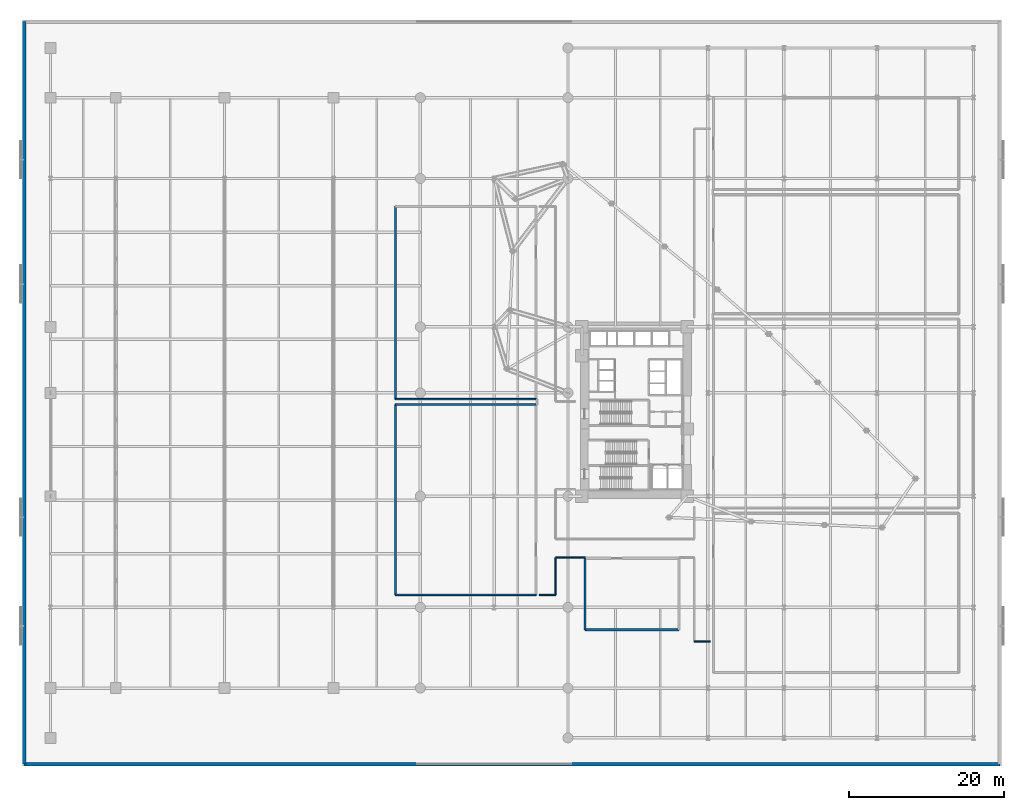
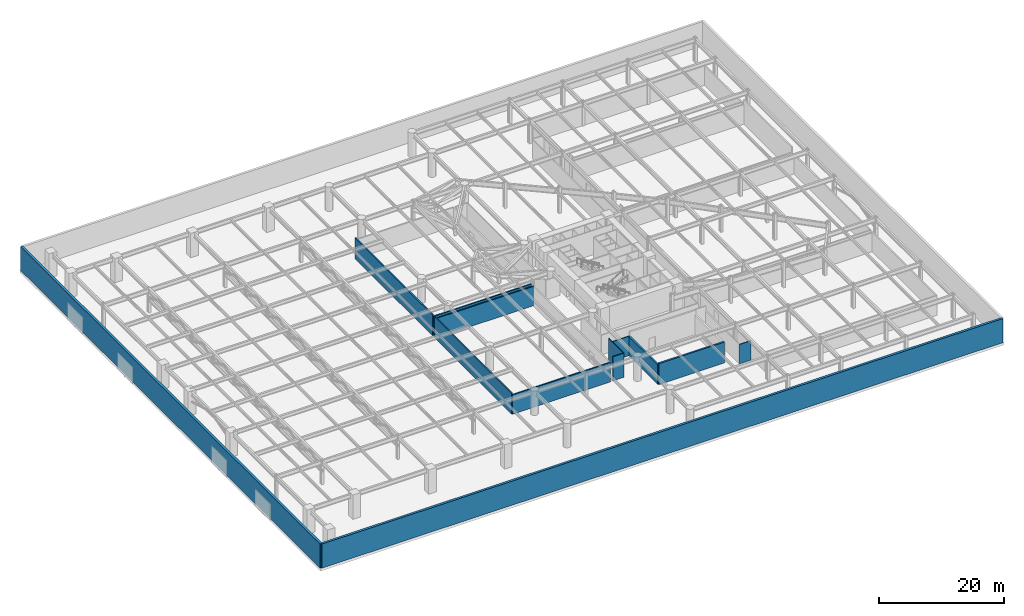
# One storey, part 24 of 40: 13 walls.
"""IFC4 building model written with IfcOpenShell, lengths in metres."""

from ifc_helpers import new_model, si_unit, direction, frame, frame_2d, origin, place, context, subcontext, project, spatial, rectangle, extrude, material, layer, layer_set, type_object, element, save


model = new_model("IFC4")

# Units and contexts
model_context = context("Model", 3, precision=1e-05, world=origin(), true_north=direction((0.0, 1.0)))
body_context = subcontext(model_context, "Body", "Model", "MODEL_VIEW")
ifc_project = project(units=[si_unit("LENGTHUNIT", "METRE"), si_unit("AREAUNIT", "SQUARE_METRE"), si_unit("VOLUMEUNIT", "CUBIC_METRE"), si_unit("PLANEANGLEUNIT", "RADIAN"), si_unit("MASSUNIT", "GRAM", prefix="KILO")], contexts=[model_context])

# Site, building, storey
site_placement = place(None, origin())
site = spatial("IfcSite", under=ifc_project, at=site_placement, CompositionType="ELEMENT")
building_placement = place(site_placement, origin())
building = spatial("IfcBuilding", under=site, at=building_placement, Name="Narakoshi Arena Tower", CompositionType="ELEMENT")
storey_placement = place(building_placement, frame((0.0, 0.0, 21.60009765625)))
storey = spatial("IfcBuildingStorey", under=building, at=storey_placement, Name="L05", CompositionType="ELEMENT", Elevation=21.60009765625)

# Walls
ifc_material_1 = material(Name="Concrete C40/50", Category="concrete")
ifc_layer_1 = layer(ifc_material_1, 0.219970703125)
ifc_layer_set_1 = layer_set([ifc_layer_1], Name="Concrete C40/50")
wall_type_1 = type_object("IfcWallType", Name="WL-COMP-220", PredefinedType="SOLIDWALL", material=ifc_layer_set_1)
for number, where, z_axis, x_axis, name in (
    (1, (48.0, 22.0, 0.0), (0.0, 0.0, 1.0), (1.0, 0.0, 0.0), "L05 Podium Roof Substation and Switchgear Room Wall S"),
    (2, (66.10009765625, 46.5, 0.0), (0.0, 0.0, 1.0), (-1.0, 0.0, 0.0), "L05 Podium Roof Substation and Switchgear Room Wall N"),
):
    element("IfcWall", number, at=place(storey_placement, frame(where, z_axis=z_axis, x_axis=x_axis)), inside=storey, type_object=wall_type_1, Name=name, PredefinedType="SOLIDWALL", context=body_context, shape_type="SweptSolid", body=[
        extrude(rectangle(XDim=18.10009765625, YDim=0.219970703125, at=frame_2d((9.050048828125, 0.0))), origin(), (0.0, 0.0, 1.0), 3.784912109375),
    ])
wall_1_placement = place(storey_placement, frame((48.0, 46.5, 0.0), z_axis=(0.0, 0.0, 1.0), x_axis=(0.0, -1.0, 0.0)))
element("IfcWall", 3, at=wall_1_placement, inside=storey, type_object=wall_type_1, Name="L05 Podium Roof Substation and Switchgear Room Wall W", PredefinedType="SOLIDWALL", context=body_context, shape_type="SweptSolid", body=[
    extrude(rectangle(XDim=24.5, YDim=0.219970703125, at=frame_2d((12.25, 0.0))), origin(), (0.0, 0.0, 1.0), 4.06494140625),
])
wall_2_placement = place(storey_placement, frame((48.0, 47.199951171875, 0.0), z_axis=(0.0, 0.0, 1.0), x_axis=(1.0, 0.0, 0.0)))
element("IfcWall", 4, at=wall_2_placement, inside=storey, type_object=wall_type_1, Name="L05 Transfer Truss Equipment Plant Room Wall S", PredefinedType="SOLIDWALL", context=body_context, shape_type="SweptSolid", body=[
    extrude(rectangle(XDim=18.10009765625, YDim=0.219970703125, at=frame_2d((9.050048828125, 0.0))), origin(), (0.0, 0.0, 1.0), 3.784912109375),
])
wall_3_placement = place(storey_placement, frame((48.0, 72.0, 0.0), z_axis=(0.0, 0.0, 1.0), x_axis=(0.0, -1.0, 0.0)))
element("IfcWall", 5, at=wall_3_placement, inside=storey, type_object=wall_type_1, Name="L05 Transfer Truss Equipment Plant Room Wall W", PredefinedType="SOLIDWALL", context=body_context, shape_type="SweptSolid", body=[
    extrude(rectangle(XDim=24.800048828125, YDim=0.219970703125, at=frame_2d((12.39990234375, 0.0))), origin(), (0.0, 0.0, 1.0), 4.06494140625),
])
ifc_material_2 = material(Name="Gypsum plasterboard fire-rated partition")
ifc_layer_2 = layer(ifc_material_2, 0.1650390625)
ifc_layer_set_2 = layer_set([ifc_layer_2], Name="Gypsum plasterboard fire-rated partition")
wall_type_2 = type_object("IfcWallType", Name="WL-CORR-165", PredefinedType="PARTITIONING", material=ifc_layer_set_2)
wall_4_placement = place(storey_placement, frame((88.52001953125, 16.0, 0.0), z_axis=(0.0, 0.0, 1.0), x_axis=(-1.0, 0.0, 0.0)))
element("IfcWall", 6, at=wall_4_placement, inside=storey, type_object=wall_type_2, Name="L05 Plant Corridor Enclosure 08-1", PredefinedType="PARTITIONING", context=body_context, shape_type="SweptSolid", body=[
    extrude(rectangle(XDim=2.070068359375, YDim=0.1650390625, at=frame_2d((1.03515625, 0.0))), origin(), (0.0, 0.0, 1.0), 3.784912109375),
])
wall_5_placement = place(storey_placement, frame((72.39990234375, 26.800048828125, 0.0), z_axis=(0.0, 0.0, 1.0), x_axis=(-1.0, 0.0, 0.0)))
element("IfcWall", 7, at=wall_5_placement, inside=storey, type_object=wall_type_2, Name="L05 Plant Corridor Enclosure 09-1", PredefinedType="PARTITIONING", context=body_context, shape_type="SweptSolid", body=[
    extrude(rectangle(XDim=3.7998046875, YDim=0.1650390625, at=frame_2d((1.89990234375, 0.0))), origin(), (0.0, 0.0, 1.0), 3.784912109375),
])
wall_6_placement = place(storey_placement, frame((68.60009765625, 26.800048828125, 0.0), z_axis=(0.0, 0.0, 1.0), x_axis=(0.0, -1.0, 0.0)))
element("IfcWall", 8, at=wall_6_placement, inside=storey, type_object=wall_type_2, Name="L05 Plant Corridor Enclosure 09-2", PredefinedType="PARTITIONING", context=body_context, shape_type="SweptSolid", body=[
    extrude(rectangle(XDim=4.800048828125, YDim=0.1650390625, at=frame_2d((2.39990234375, 0.0))), origin(), (0.0, 0.0, 1.0), 4.699951171875),
])
wall_7_placement = place(storey_placement, frame((68.60009765625, 22.0, 0.0), z_axis=(0.0, 0.0, 1.0), x_axis=(-1.0, 0.0, 0.0)))
element("IfcWall", 9, at=wall_7_placement, inside=storey, type_object=wall_type_2, Name="L05 Plant Corridor Enclosure 09-3", PredefinedType="PARTITIONING", context=body_context, shape_type="SweptSolid", body=[
    extrude(rectangle(XDim=2.070068359375, YDim=0.1650390625, at=frame_2d((1.03515625, 0.0))), origin(), (0.0, 0.0, 1.0), 4.699951171875),
])
ifc_material_3 = material(Name="Precast concrete C45/55", Category="concrete")
ifc_layer_3 = layer(ifc_material_3, 0.419921875)
ifc_layer_set_3 = layer_set([ifc_layer_3], Name="Precast concrete C45/55")
wall_type_3 = type_object("IfcWallType", Name="WL-POD-420", PredefinedType="SOLIDWALL", material=ifc_layer_set_3)
wall_8_placement = place(storey_placement, frame((0.2099609375, 0.2099609375, 0.0), z_axis=(0.0, 0.0, 1.0), x_axis=(1.0, 0.0, 0.0)))
element("IfcWall", 10, at=wall_8_placement, inside=storey, type_object=wall_type_3, Name="L05 Podium Precast Facade Wall S", PredefinedType="SOLIDWALL", context=body_context, shape_type="SweptSolid", body=[
    extrude(rectangle(XDim=125.580078125, YDim=0.419921875, at=frame_2d((62.7900390625, 0.0))), origin(), (0.0, 0.0, 1.0), 4.699951171875),
])
wall_9_placement = place(storey_placement, frame((0.2099609375, 95.7900390625, 0.0), z_axis=(0.0, 0.0, 1.0), x_axis=(0.0, -1.0, 0.0)))
element("IfcWall", 11, at=wall_9_placement, inside=storey, type_object=wall_type_3, Name="L05 Podium Precast Facade Wall W", PredefinedType="SOLIDWALL", context=body_context, shape_type="SweptSolid", body=[
    extrude(rectangle(XDim=95.580078125, YDim=0.419921875, at=frame_2d((47.7900390625, 0.0))), origin(), (0.0, 0.0, 1.0), 4.699951171875),
])
ifc_material_4 = material(Name="Concrete C50/60", Category="concrete")
ifc_layer_4 = layer(ifc_material_4, 0.35009765625)
ifc_layer_set_4 = layer_set([ifc_layer_4], Name="Concrete C50/60")
wall_type_4 = type_object("IfcWallType", Name="WL-SHAFT-350", PredefinedType="SOLIDWALL", material=ifc_layer_set_4)
wall_10_placement = place(storey_placement, frame((72.39990234375, 17.5, 0.0), z_axis=(0.0, 0.0, 1.0), x_axis=(1.0, 0.0, 0.0)))
element("IfcWall", 12, at=wall_10_placement, inside=storey, type_object=wall_type_4, Name="L05 Podium Refuge Area Wall S", PredefinedType="SOLIDWALL", context=body_context, shape_type="SweptSolid", body=[
    extrude(rectangle(XDim=12.10009765625, YDim=0.300048828125, at=frame_2d((6.050048828125, 0.0))), origin(), (0.0, 0.0, 1.0), 4.0849609375),
])
wall_11_placement = place(storey_placement, frame((72.39990234375, 26.699951171875, 0.0), z_axis=(0.0, 0.0, 1.0), x_axis=(0.0, -1.0, 0.0)))
element("IfcWall", 13, at=wall_11_placement, inside=storey, type_object=wall_type_4, Name="L05 Podium Refuge Area Wall W", PredefinedType="SOLIDWALL", context=body_context, shape_type="SweptSolid", body=[
    extrude(rectangle(XDim=9.199951171875, YDim=0.300048828125, at=frame_2d((4.60009765625, 0.0))), origin(), (0.0, 0.0, 1.0), 3.784912109375),
])

save(model, "model.ifc")
